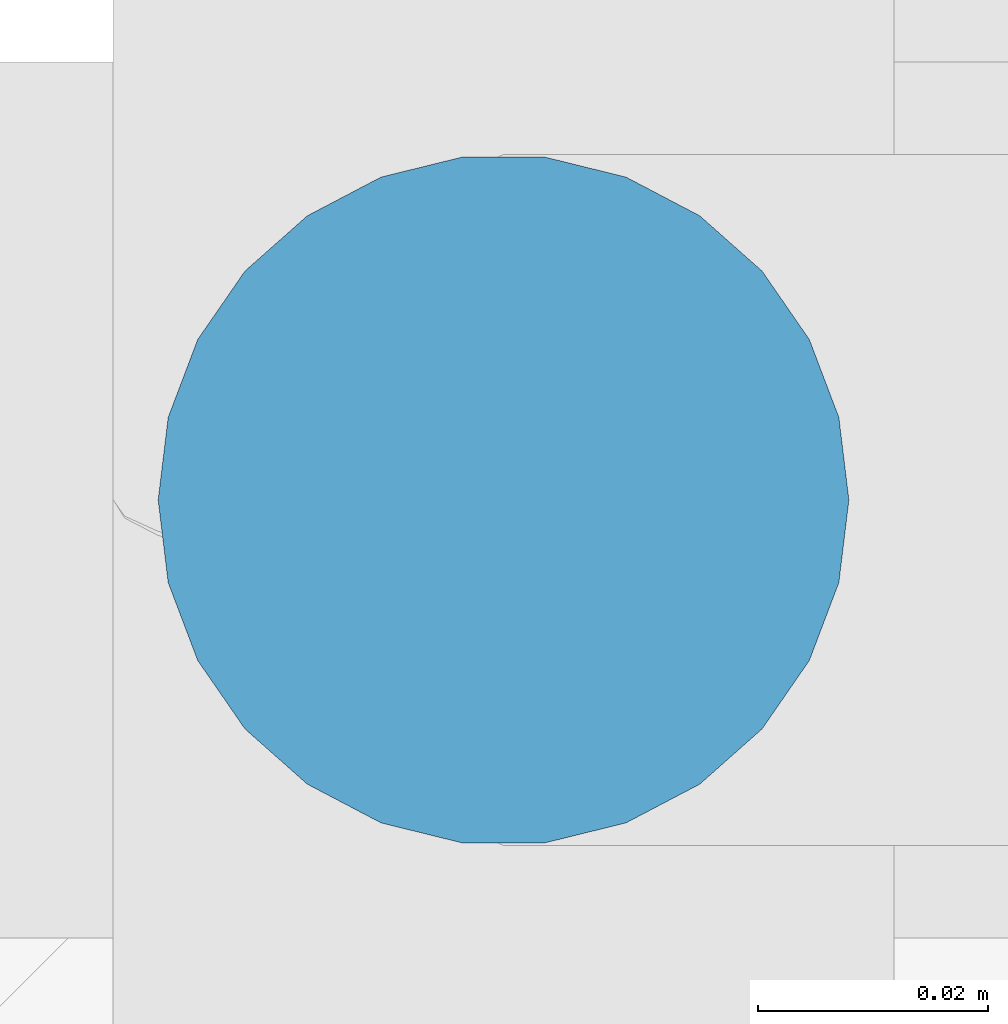
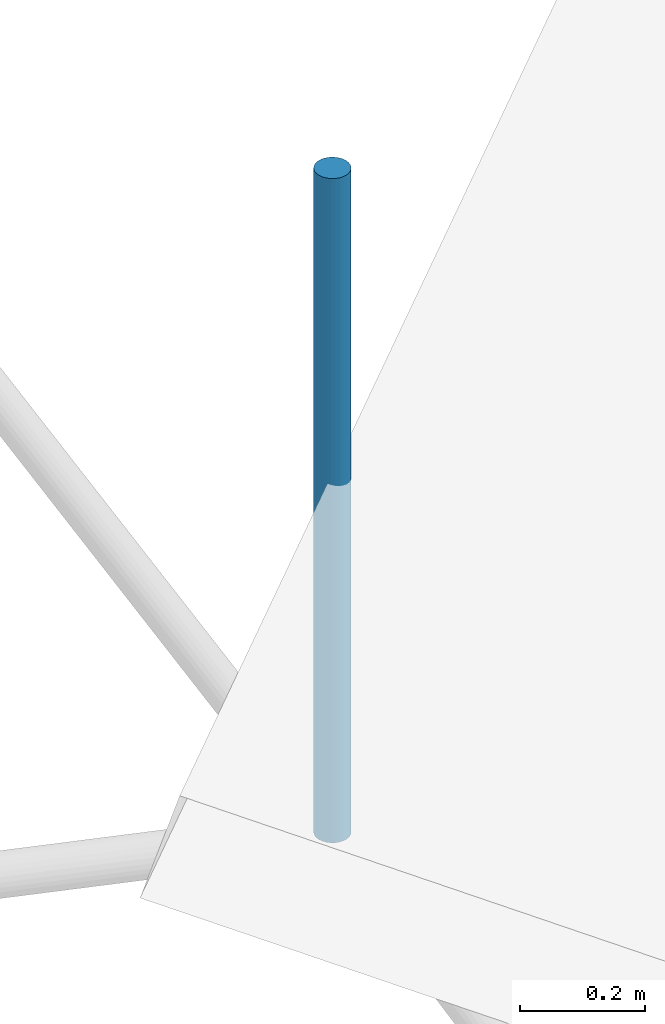
# One storey, part 7 of 40: 1 member.
"""IFC4 building model written with IfcOpenShell, lengths in metres."""

from ifc_helpers import new_model, si_unit, direction, frame, origin, origin_2d, place, context, subcontext, project, spatial, circle, extrude, material, material_profile, profile_set, type_object, element, save


model = new_model("IFC4")

# Units and contexts
model_context = context("Model", 3, precision=1e-05, world=origin(), true_north=direction((0.0, 1.0)))
body_context = subcontext(model_context, "Body", "Model", "MODEL_VIEW")
ifc_project = project(units=[si_unit("LENGTHUNIT", "METRE"), si_unit("AREAUNIT", "SQUARE_METRE"), si_unit("VOLUMEUNIT", "CUBIC_METRE"), si_unit("PLANEANGLEUNIT", "RADIAN"), si_unit("MASSUNIT", "GRAM", prefix="KILO")], contexts=[model_context])

# Site, building, storey
site_placement = place(None, origin())
site = spatial("IfcSite", under=ifc_project, at=site_placement, CompositionType="ELEMENT")
building_placement = place(site_placement, origin())
building = spatial("IfcBuilding", under=site, at=building_placement, Name="Zevrakil Square Congress Hotel", CompositionType="ELEMENT")
storey_placement = place(building_placement, frame((0.0, 0.0, 18.10009765625)))
storey = spatial("IfcBuildingStorey", under=building, at=storey_placement, Name="L05", CompositionType="ELEMENT", Elevation=18.10009765625)

# Member
ifc_material = material(Name="Steel S355", Category="steel")
ifc_material_profile = material_profile(ifc_material, circle(Radius=0.030029296875, at=origin_2d()), Name="CABLE RD60")
ifc_profile_set = profile_set([ifc_material_profile], Name="Steel S355")
member_type = type_object("IfcMemberType", Name="MEM-CABLE-RD60", PredefinedType="USERDEFINED", material=ifc_profile_set)
member_placement = place(storey_placement, frame((122.39990234375, 69.60009765625, 2.577880859375), z_axis=(0.0, 0.0, 1.0), x_axis=(1.0, 0.0, 0.0)))
element("IfcMember", 1, at=member_placement, inside=storey, type_object=member_type, Name="Congress cable-truss vertical tie CBW-01-1", ObjectType="ROOF CABLE", PredefinedType="USERDEFINED", context=body_context, shape_type="SweptSolid", body=[
    extrude(circle(Radius=0.030029296875, at=origin_2d()), origin(), (0.0, 0.0, 1.0), 1.2978515625),
])

save(model, "model.ifc")
